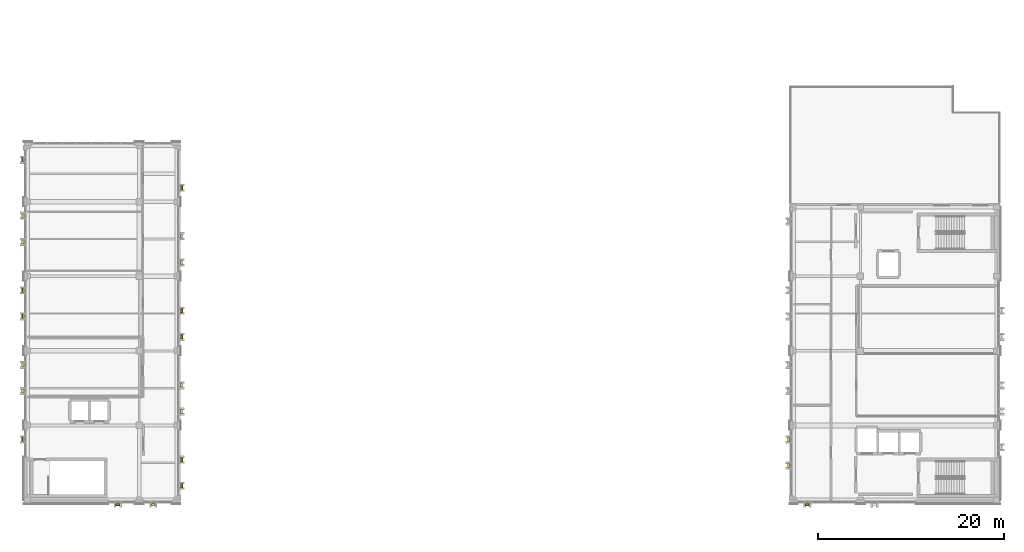
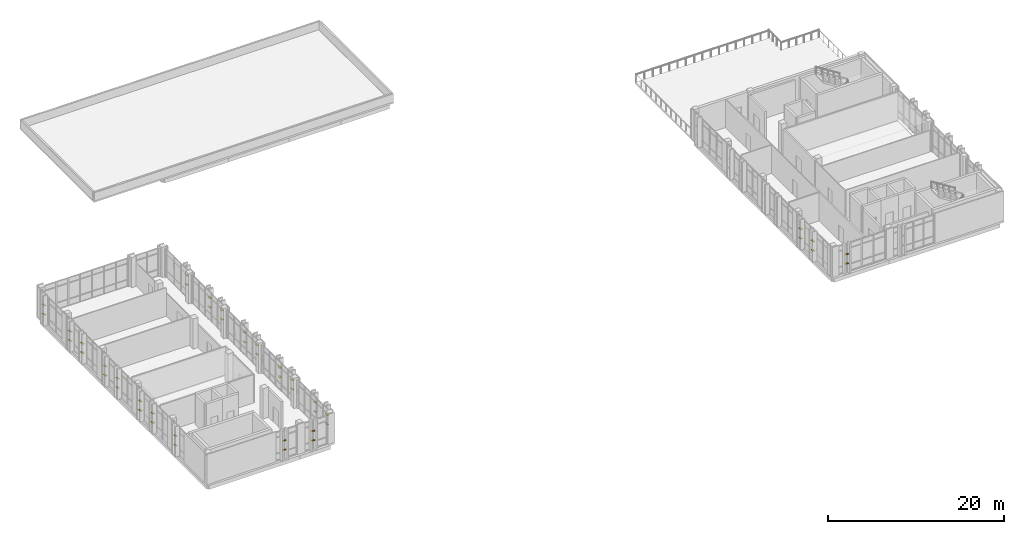
# One storey, part 47 of 48: 44 shading devices.
"""IFC4 building model written with IfcOpenShell, lengths in metres."""

from ifc_helpers import new_model, si_unit, direction, frame, origin, origin_2d, place, context, subcontext, project, spatial, rectangle, extrude, material, type_object, element, save


model = new_model("IFC4")

# Units and contexts
model_context = context("Model", 3, precision=1e-05, world=origin(), true_north=direction((0.0, 1.0)))
body_context = subcontext(model_context, "Body", "Model", "MODEL_VIEW")
ifc_project = project(units=[si_unit("LENGTHUNIT", "METRE"), si_unit("AREAUNIT", "SQUARE_METRE"), si_unit("VOLUMEUNIT", "CUBIC_METRE"), si_unit("PLANEANGLEUNIT", "RADIAN"), si_unit("MASSUNIT", "GRAM", prefix="KILO")], contexts=[model_context])

# Site, building, storey
site_placement = place(None, origin())
site = spatial("IfcSite", under=ifc_project, at=site_placement, CompositionType="ELEMENT")
building_placement = place(site_placement, origin())
building = spatial("IfcBuilding", under=site, at=building_placement, Name="Qalavern Law Courts", CompositionType="ELEMENT")
storey_placement = place(building_placement, frame((0.0, 0.0, 31.199951171875)))
storey = spatial("IfcBuildingStorey", under=building, at=storey_placement, Name="L07", CompositionType="ELEMENT", Elevation=31.199951171875)

# Shading devices
ifc_material = material(Name="Anodised aluminium", Category="aluminium")
shading_device_type_1 = type_object("IfcShadingDeviceType", Name="ENV-LOUV-1", PredefinedType="JALOUSIE", material=ifc_material)
for number, where, z_axis, x_axis, name in (
    (1, (12.10009765625, 40.887451171875, 1.34912109375), (0.0, 0.0, 1.0), (1.0, 0.0, 0.0), "Horizontal sun louvre V3-L07-0-1"),
    (2, (12.10009765625, 40.887451171875, 2.649169921875), (0.0, 0.0, 1.0), (1.0, 0.0, 0.0), "Horizontal sun louvre V3-L07-0-2"),
    (3, (18.9326171875, 42.919921875, 1.34912109375), (0.0, 0.0, 1.0), (0.0, 1.0, 0.0), "Horizontal sun louvre V3-L07-0-1"),
    (4, (18.9326171875, 42.919921875, 2.649169921875), (0.0, 0.0, 1.0), (0.0, 1.0, 0.0), "Horizontal sun louvre V3-L07-0-2"),
    (5, (18.9326171875, 45.719970703125, 1.34912109375), (0.0, 0.0, 1.0), (0.0, 1.0, 0.0), "Horizontal sun louvre V3-L07-1-1"),
    (6, (18.9326171875, 45.719970703125, 2.649169921875), (0.0, 0.0, 1.0), (0.0, 1.0, 0.0), "Horizontal sun louvre V3-L07-1-2"),
    (7, (18.9326171875, 58.89990234375, 1.34912109375), (0.0, 0.0, 1.0), (0.0, 1.0, 0.0), "Horizontal sun louvre V3-L07-0-1"),
    (8, (18.9326171875, 58.89990234375, 2.649169921875), (0.0, 0.0, 1.0), (0.0, 1.0, 0.0), "Horizontal sun louvre V3-L07-0-2"),
    (9, (18.9326171875, 61.699951171875, 1.34912109375), (0.0, 0.0, 1.0), (0.0, 1.0, 0.0), "Horizontal sun louvre V3-L07-1-1"),
    (10, (18.9326171875, 61.699951171875, 2.649169921875), (0.0, 0.0, 1.0), (0.0, 1.0, 0.0), "Horizontal sun louvre V3-L07-1-2"),
    (11, (18.9326171875, 74.89990234375, 1.34912109375), (0.0, 0.0, 1.0), (0.0, 1.0, 0.0), "Horizontal sun louvre V3-L07-0-1"),
    (12, (18.9326171875, 74.89990234375, 2.649169921875), (0.0, 0.0, 1.0), (0.0, 1.0, 0.0), "Horizontal sun louvre V3-L07-0-2"),
    (13, (1.867431640625, 77.89990234375, 1.34912109375), (0.0, 0.0, 1.0), (0.0, -1.0, 0.0), "Horizontal sun louvre V3-L07-0-1"),
    (14, (1.867431640625, 77.89990234375, 2.649169921875), (0.0, 0.0, 1.0), (0.0, -1.0, 0.0), "Horizontal sun louvre V3-L07-0-2"),
    (15, (1.867431640625, 63.89990234375, 1.34912109375), (0.0, 0.0, 1.0), (0.0, -1.0, 0.0), "Horizontal sun louvre V3-L07-0-1"),
    (16, (1.867431640625, 63.89990234375, 2.649169921875), (0.0, 0.0, 1.0), (0.0, -1.0, 0.0), "Horizontal sun louvre V3-L07-0-2"),
    (17, (1.867431640625, 61.10009765625, 1.34912109375), (0.0, 0.0, 1.0), (0.0, -1.0, 0.0), "Horizontal sun louvre V3-L07-1-1"),
    (18, (1.867431640625, 61.10009765625, 2.649169921875), (0.0, 0.0, 1.0), (0.0, -1.0, 0.0), "Horizontal sun louvre V3-L07-1-2"),
    (19, (1.867431640625, 47.89990234375, 1.34912109375), (0.0, 0.0, 1.0), (0.0, -1.0, 0.0), "Horizontal sun louvre V3-L07-0-1"),
    (20, (1.867431640625, 47.89990234375, 2.649169921875), (0.0, 0.0, 1.0), (0.0, -1.0, 0.0), "Horizontal sun louvre V3-L07-0-2"),
    (21, (86.10009765625, 40.887451171875, 1.34912109375), (0.0, 0.0, 1.0), (1.0, 0.0, 0.0), "Horizontal sun louvre V4-L07-0-1"),
    (22, (86.10009765625, 40.887451171875, 2.649169921875), (0.0, 0.0, 1.0), (1.0, 0.0, 0.0), "Horizontal sun louvre V4-L07-0-2"),
):
    element("IfcShadingDevice", number, at=place(storey_placement, frame(where, z_axis=z_axis, x_axis=x_axis)), inside=storey, type_object=shading_device_type_1, Name=name, PredefinedType="JALOUSIE", context=body_context, shape_type="SweptSolid", body=[
        extrude(rectangle(XDim=0.419921875, YDim=0.2099609375, at=origin_2d()), origin(), (0.0, 0.0, 1.0), 0.06005859375),
    ])
shading_device_type_2 = type_object("IfcShadingDeviceType", Name="ENV-LOUV-2", PredefinedType="JALOUSIE", material=ifc_material)
for number, where, z_axis, x_axis, name in (
    (23, (15.89990234375, 40.887451171875, 1.34912109375), (0.0, 0.0, 1.0), (1.0, 0.0, 0.0), "Horizontal sun louvre V3-L07-0-1"),
    (24, (15.89990234375, 40.887451171875, 2.649169921875), (0.0, 0.0, 1.0), (1.0, 0.0, 0.0), "Horizontal sun louvre V3-L07-0-2"),
    (25, (18.9326171875, 50.89990234375, 1.34912109375), (0.0, 0.0, 1.0), (0.0, 1.0, 0.0), "Horizontal sun louvre V3-L07-0-1"),
    (26, (18.9326171875, 50.89990234375, 2.649169921875), (0.0, 0.0, 1.0), (0.0, 1.0, 0.0), "Horizontal sun louvre V3-L07-0-2"),
    (27, (18.9326171875, 53.699951171875, 1.34912109375), (0.0, 0.0, 1.0), (0.0, 1.0, 0.0), "Horizontal sun louvre V3-L07-1-1"),
    (28, (18.9326171875, 53.699951171875, 2.649169921875), (0.0, 0.0, 1.0), (0.0, 1.0, 0.0), "Horizontal sun louvre V3-L07-1-2"),
    (29, (18.9326171875, 66.89990234375, 1.34912109375), (0.0, 0.0, 1.0), (0.0, 1.0, 0.0), "Horizontal sun louvre V3-L07-0-1"),
    (30, (18.9326171875, 66.89990234375, 2.649169921875), (0.0, 0.0, 1.0), (0.0, 1.0, 0.0), "Horizontal sun louvre V3-L07-0-2"),
    (31, (18.9326171875, 69.699951171875, 1.34912109375), (0.0, 0.0, 1.0), (0.0, 1.0, 0.0), "Horizontal sun louvre V3-L07-1-1"),
    (32, (18.9326171875, 69.699951171875, 2.649169921875), (0.0, 0.0, 1.0), (0.0, 1.0, 0.0), "Horizontal sun louvre V3-L07-1-2"),
    (33, (1.867431640625, 71.89990234375, 1.34912109375), (0.0, 0.0, 1.0), (0.0, -1.0, 0.0), "Horizontal sun louvre V3-L07-0-1"),
    (34, (1.867431640625, 71.89990234375, 2.649169921875), (0.0, 0.0, 1.0), (0.0, -1.0, 0.0), "Horizontal sun louvre V3-L07-0-2"),
    (35, (1.867431640625, 69.10009765625, 1.34912109375), (0.0, 0.0, 1.0), (0.0, -1.0, 0.0), "Horizontal sun louvre V3-L07-1-1"),
    (36, (1.867431640625, 69.10009765625, 2.649169921875), (0.0, 0.0, 1.0), (0.0, -1.0, 0.0), "Horizontal sun louvre V3-L07-1-2"),
    (37, (1.867431640625, 55.89990234375, 1.34912109375), (0.0, 0.0, 1.0), (0.0, -1.0, 0.0), "Horizontal sun louvre V3-L07-0-1"),
    (38, (1.867431640625, 55.89990234375, 2.649169921875), (0.0, 0.0, 1.0), (0.0, -1.0, 0.0), "Horizontal sun louvre V3-L07-0-2"),
    (39, (1.867431640625, 53.10009765625, 1.34912109375), (0.0, 0.0, 1.0), (0.0, -1.0, 0.0), "Horizontal sun louvre V3-L07-1-1"),
    (40, (1.867431640625, 53.10009765625, 2.649169921875), (0.0, 0.0, 1.0), (0.0, -1.0, 0.0), "Horizontal sun louvre V3-L07-1-2"),
    (41, (84.0673828125, 47.89990234375, 1.34912109375), (0.0, 0.0, 1.0), (0.0, -1.0, 0.0), "Horizontal sun louvre V4-L07-0-1"),
    (42, (84.0673828125, 47.89990234375, 2.649169921875), (0.0, 0.0, 1.0), (0.0, -1.0, 0.0), "Horizontal sun louvre V4-L07-0-2"),
    (43, (84.0673828125, 45.10009765625, 1.34912109375), (0.0, 0.0, 1.0), (0.0, -1.0, 0.0), "Horizontal sun louvre V4-L07-1-1"),
    (44, (84.0673828125, 45.10009765625, 2.649169921875), (0.0, 0.0, 1.0), (0.0, -1.0, 0.0), "Horizontal sun louvre V4-L07-1-2"),
):
    element("IfcShadingDevice", number, at=place(storey_placement, frame(where, z_axis=z_axis, x_axis=x_axis)), inside=storey, type_object=shading_device_type_2, Name=name, PredefinedType="JALOUSIE", context=body_context, shape_type="SweptSolid", body=[
        extrude(rectangle(XDim=0.419921875, YDim=0.25, at=origin_2d()), origin(), (0.0, 0.0, 1.0), 0.06005859375),
    ])

save(model, "model.ifc")
